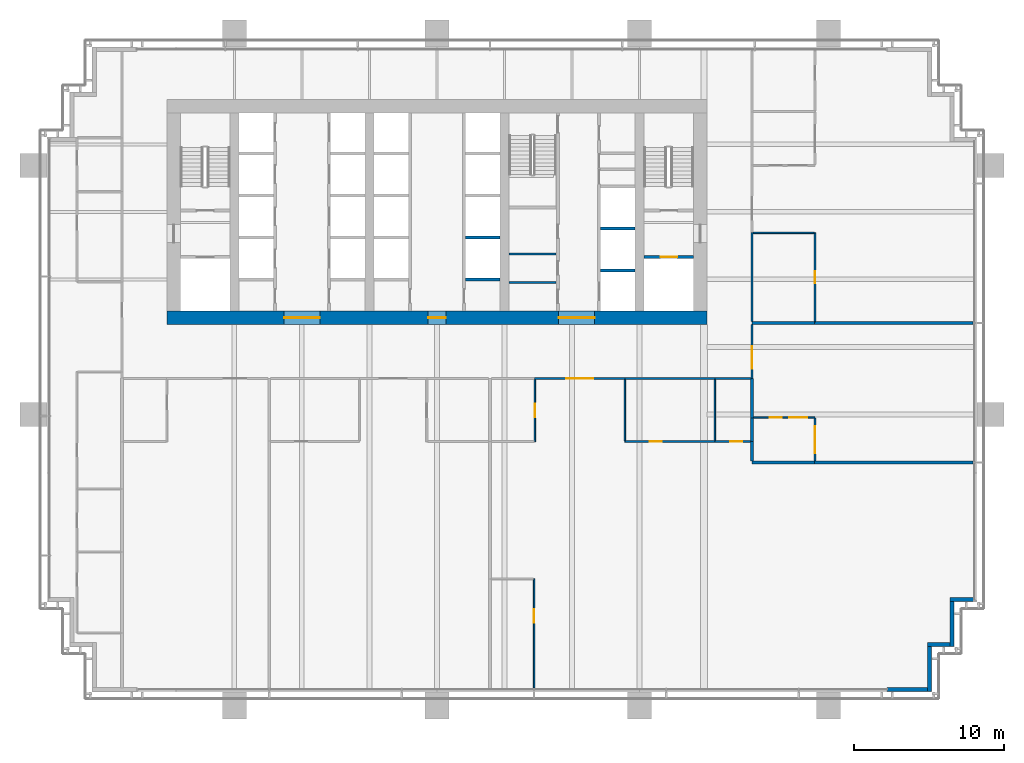
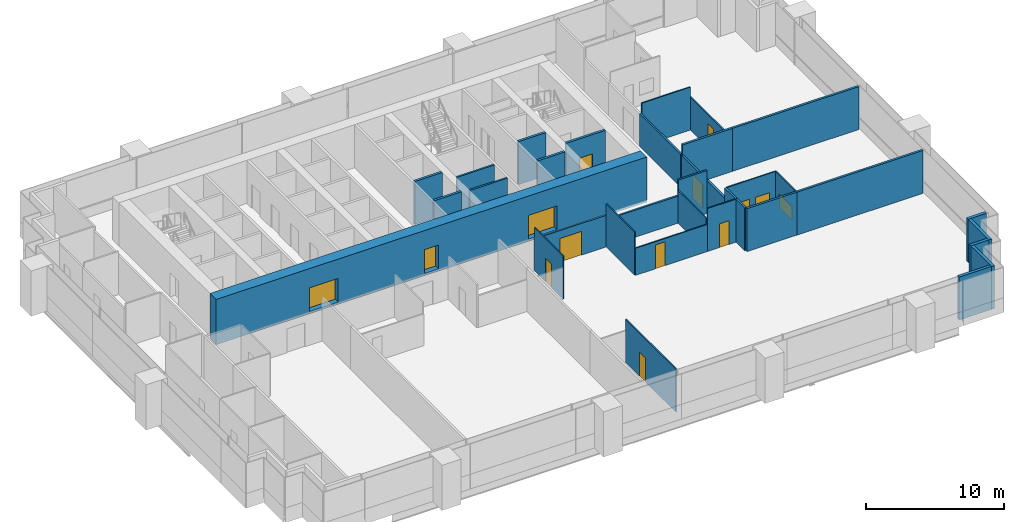
# One storey, part 13 of 19: 35 walls, 12 doors, 2 windows, 14 openings.
"""IFC4 building model written with IfcOpenShell, lengths in metres."""

from ifc_helpers import new_model, si_unit, direction, frame, frame_2d, origin, place, context, subcontext, project, spatial, rectangle, extrude, material, layer, layer_set, type_object, element, fill, save


model = new_model("IFC4")

# Units and contexts
model_context = context("Model", 3, precision=1e-05, world=origin(), true_north=direction((0.0, 1.0)))
body_context = subcontext(model_context, "Body", "Model", "MODEL_VIEW")
ifc_project = project(units=[si_unit("LENGTHUNIT", "METRE"), si_unit("AREAUNIT", "SQUARE_METRE"), si_unit("VOLUMEUNIT", "CUBIC_METRE"), si_unit("PLANEANGLEUNIT", "RADIAN"), si_unit("MASSUNIT", "GRAM", prefix="KILO")], contexts=[model_context])

# Site, building, storey
site_placement = place(None, origin())
site = spatial("IfcSite", under=ifc_project, at=site_placement, CompositionType="ELEMENT")
building_placement = place(site_placement, origin())
building = spatial("IfcBuilding", under=site, at=building_placement, Name="Rattan Terrace Tower", CompositionType="ELEMENT")
storey_placement = place(building_placement, frame((0.0, 0.0, 87.699951171875)))
storey = spatial("IfcBuildingStorey", under=building, at=storey_placement, Name="L19", CompositionType="ELEMENT", Elevation=87.699951171875)

# Walls
ifc_material_1 = material(Name="Gypsum board partition")
ifc_layer_1 = layer(ifc_material_1, 0.14990234375)
ifc_layer_set_1 = layer_set([ifc_layer_1], Name="Core partition 150")
wall_type_1 = type_object("IfcWallType", Name="Core partition 150", PredefinedType="PARTITIONING", material=ifc_layer_set_1)
for number, where, z_axis, x_axis, name in (
    (1, (4.800048828125, -4.696044921875, 0.0), (0.0, 0.0, 1.0), (1.0, 0.0, 0.0), "Toilet wall"),
    (2, (4.800048828125, -2.7919921875, 0.0), (0.0, 0.0, 1.0), (1.0, 0.0, 0.0), "Toilet wall"),
):
    element("IfcWall", number, at=place(storey_placement, frame(where, z_axis=z_axis, x_axis=x_axis)), inside=storey, type_object=wall_type_1, Name=name, PredefinedType="PARTITIONING", context=body_context, shape_type="SweptSolid", body=[
        extrude(rectangle(XDim=3.14990234375, YDim=0.14990234375, at=frame_2d((1.574951171875, 0.0))), origin(), (0.0, 0.0, 1.0), 3.800048828125),
    ])

# Wall, opening, door
ifc_material_2 = material(Name="Gypsum board partition")
ifc_layer_2 = layer(ifc_material_2, 0.199951171875)
ifc_layer_set_2 = layer_set([ifc_layer_2], Name="Core partition 200")
wall_type_2 = type_object("IfcWallType", Name="Core partition 200", PredefinedType="PARTITIONING", material=ifc_layer_set_2)
wall_1_placement = place(storey_placement, frame((13.800048828125, -3.0, 0.0), z_axis=(0.0, 0.0, 1.0), x_axis=(1.0, 0.0, 0.0)))
wall_1 = element("IfcWall", 3, at=wall_1_placement, inside=storey, type_object=wall_type_2, Name="Fire-fighting lobby wall", PredefinedType="PARTITIONING", context=body_context, shape_type="SweptSolid", body=[
    extrude(rectangle(XDim=3.300048828125, YDim=0.199951171875, at=frame_2d((1.64990234375, 0.0))), origin(), (0.0, 0.0, 1.0), 3.800048828125),
])
opening_1_placement = place(wall_1_placement, frame((1.10009765625, 0.0, 0.0)))
opening_1 = element("IfcOpeningElement", 4, at=opening_1_placement, cuts=wall_1, Name="Opening L19-LD-FF2", PredefinedType="OPENING", context=body_context, shape_type="SweptSolid", body=[
    extrude(rectangle(XDim=1.10009765625, YDim=2.10009765625, at=frame_2d((0.550048828125, 1.050048828125))), frame((0.0, 0.110595703125, 0.0), z_axis=(0.0, -1.0, 0.0), x_axis=(1.0, 0.0, 0.0)), (0.0, 0.0, 1.0), 0.220947265625),
])
ifc_material_3 = material(Name="Brushed stainless landing door panel")
door_type_1 = type_object("IfcDoorType", Name="Core lift landing door 1100", OperationType="DOUBLE_DOOR_SLIDING", PredefinedType="DOOR", material=ifc_material_3)
door_1_placement = place(opening_1_placement, origin())
door_1 = element("IfcDoor", 5, at=door_1_placement, inside=storey, type_object=door_type_1, Name="Door L19-LD-FF2", OperationType="DOUBLE_DOOR_SLIDING", OverallHeight=2.10009765625, OverallWidth=1.10009765625, PredefinedType="DOOR", context=body_context, shape_type="SweptSolid", body=[
    extrude(rectangle(XDim=1.10009765625, YDim=2.10009765625, at=frame_2d((0.550048828125, 1.050048828125))), frame((0.0, 0.02490234375, 0.0), z_axis=(0.0, -1.0, 0.0), x_axis=(1.0, 0.0, 0.0)), (0.0, 0.0, 1.0), 0.050048828125),
])
fill(opening_1, door_1)

# Wall, openings, doors
ifc_material_4 = material(Name="Concrete C70/85", Category="concrete")
ifc_layer_3 = layer(ifc_material_4, 0.89990234375)
ifc_layer_set_3 = layer_set([ifc_layer_3], Name="Core ring wall 900 C70/85")
wall_type_3 = type_object("IfcWallType", Name="Core ring wall 900 C70/85", PredefinedType="SHEAR", material=ifc_layer_set_3)
wall_2_placement = place(storey_placement, frame((-18.0, -7.050048828125, -0.199951171875), z_axis=(0.0, 0.0, 1.0), x_axis=(1.0, 0.0, 0.0)))
wall_2 = element("IfcWall", 6, at=wall_2_placement, inside=storey, type_object=wall_type_3, Name="Rear core wall south", PredefinedType="SHEAR", context=body_context, shape_type="SweptSolid", body=[
    extrude(rectangle(XDim=36.0, YDim=0.89990234375, at=frame_2d((18.0, 0.0))), origin(), (0.0, 0.0, 1.0), 4.0),
])
opening_2_placement = place(wall_2_placement, frame((7.800048828125, 0.0, 0.199951171875)))
opening_2 = element("IfcOpeningElement", 7, at=opening_2_placement, cuts=wall_2, Name="Opening L19-D007", PredefinedType="OPENING", context=body_context, shape_type="SweptSolid", body=[
    extrude(rectangle(XDim=2.39990234375, YDim=2.10009765625, at=frame_2d((1.199951171875, 1.050048828125))), frame((0.0, 0.46044921875, 0.0), z_axis=(0.0, -1.0, 0.0), x_axis=(1.0, 0.0, 0.0)), (0.0, 0.0, 1.0), 0.9208984375),
])
opening_3_placement = place(wall_2_placement, frame((17.39990234375, 0.0, 0.199951171875)))
opening_3 = element("IfcOpeningElement", 8, at=opening_3_placement, cuts=wall_2, Name="Opening L19-D010", PredefinedType="OPENING", context=body_context, shape_type="SweptSolid", body=[
    extrude(rectangle(XDim=1.199951171875, YDim=2.10009765625, at=frame_2d((0.60009765625, 1.050048828125))), frame((0.0, 0.46044921875, 0.0), z_axis=(0.0, -1.0, 0.0), x_axis=(1.0, 0.0, 0.0)), (0.0, 0.0, 1.0), 0.9208984375),
])
opening_4_placement = place(wall_2_placement, frame((26.10009765625, 0.0, 0.199951171875)))
opening_4 = element("IfcOpeningElement", 9, at=opening_4_placement, cuts=wall_2, Name="Opening L19-D015", PredefinedType="OPENING", context=body_context, shape_type="SweptSolid", body=[
    extrude(rectangle(XDim=2.39990234375, YDim=2.10009765625, at=frame_2d((1.199951171875, 1.050048828125))), frame((0.0, 0.46044921875, 0.0), z_axis=(0.0, -1.0, 0.0), x_axis=(1.0, 0.0, 0.0)), (0.0, 0.0, 1.0), 0.9208984375),
])
ifc_material_5 = material(Name="Hollow-metal fire door leaf")
door_type_2 = type_object("IfcDoorType", Name="Core lift lobby door 2400", OperationType="NOTDEFINED", PredefinedType="DOOR", material=ifc_material_5)
door_2_placement = place(opening_2_placement, origin())
door_2 = element("IfcDoor", 10, at=door_2_placement, inside=storey, type_object=door_type_2, Name="Door L19-D007", OperationType="DOUBLE_DOOR_DOUBLE_SWING", OverallHeight=2.10009765625, OverallWidth=2.39990234375, PredefinedType="DOOR", context=body_context, shape_type="SweptSolid", body=[
    extrude(rectangle(XDim=2.39990234375, YDim=2.10009765625, at=frame_2d((1.199951171875, 1.050048828125))), frame((0.0, 0.02490234375, 0.0), z_axis=(0.0, -1.0, 0.0), x_axis=(1.0, 0.0, 0.0)), (0.0, 0.0, 1.0), 0.050048828125),
])
fill(opening_2, door_2)
door_3_placement = place(opening_4_placement, origin())
door_3 = element("IfcDoor", 11, at=door_3_placement, inside=storey, type_object=door_type_2, Name="Door L19-D015", OperationType="DOUBLE_DOOR_DOUBLE_SWING", OverallHeight=2.10009765625, OverallWidth=2.39990234375, PredefinedType="DOOR", context=body_context, shape_type="SweptSolid", body=[
    extrude(rectangle(XDim=2.39990234375, YDim=2.10009765625, at=frame_2d((1.199951171875, 1.050048828125))), frame((0.0, 0.02490234375, 0.0), z_axis=(0.0, -1.0, 0.0), x_axis=(1.0, 0.0, 0.0)), (0.0, 0.0, 1.0), 0.050048828125),
])
fill(opening_4, door_3)
ifc_material_6 = material(Name="Hollow-metal fire door leaf")
door_type_3 = type_object("IfcDoorType", Name="Core riser door 1200", OperationType="NOTDEFINED", PredefinedType="DOOR", material=ifc_material_6)
door_4_placement = place(opening_3_placement, origin())
door_4 = element("IfcDoor", 12, at=door_4_placement, inside=storey, type_object=door_type_3, Name="Door L19-D010", OperationType="SINGLE_SWING_RIGHT", OverallHeight=2.10009765625, OverallWidth=1.199951171875, PredefinedType="DOOR", context=body_context, shape_type="SweptSolid", body=[
    extrude(rectangle(XDim=1.199951171875, YDim=2.10009765625, at=frame_2d((0.60009765625, 1.050048828125))), frame((0.0, 0.02490234375, 0.0), z_axis=(0.0, -1.0, 0.0), x_axis=(1.0, 0.0, 0.0)), (0.0, 0.0, 1.0), 0.050048828125),
])
fill(opening_3, door_4)

# Walls
ifc_material_7 = material(Name="Insulated aluminium-clad stud wall", Category="aluminium")
ifc_layer_4 = layer(ifc_material_7, 0.25)
ifc_layer_set_4 = layer_set([ifc_layer_4], Name="Facade Riser Wall 250")
wall_type_4 = type_object("IfcWallType", Name="Facade Riser Wall 250", PredefinedType="SOLIDWALL", material=ifc_layer_set_4)
wall_3_placement = place(storey_placement, frame((30.0, -31.830078125, 0.0), z_axis=(0.0, 0.0, 1.0), x_axis=(1.0, 0.0, 0.0)))
element("IfcWall", 13, at=wall_3_placement, inside=storey, type_object=wall_type_4, Name="Riser wall L19-1", PredefinedType="SOLIDWALL", context=body_context, shape_type="SweptSolid", body=[
    extrude(rectangle(XDim=2.705078125, YDim=0.25, at=frame_2d((1.3525390625, 0.0))), origin(), (0.0, 0.0, 1.0), 3.800048828125),
])
wall_4_placement = place(storey_placement, frame((32.830078125, -31.955078125, 0.0), z_axis=(0.0, 0.0, 1.0), x_axis=(0.0, 1.0, 0.0)))
element("IfcWall", 14, at=wall_4_placement, inside=storey, type_object=wall_type_4, Name="Riser wall L19-2", PredefinedType="SOLIDWALL", context=body_context, shape_type="SweptSolid", body=[
    extrude(rectangle(XDim=3.0, YDim=0.25, at=frame_2d((1.5, 0.0))), origin(), (0.0, 0.0, 1.0), 3.800048828125),
])
wall_5_placement = place(storey_placement, frame((32.705078125, -28.830078125, 0.0), z_axis=(0.0, 0.0, 1.0), x_axis=(1.0, 0.0, 0.0)))
element("IfcWall", 15, at=wall_5_placement, inside=storey, type_object=wall_type_4, Name="Riser wall L19-3", PredefinedType="SOLIDWALL", context=body_context, shape_type="SweptSolid", body=[
    extrude(rectangle(XDim=1.5, YDim=0.25, at=frame_2d((0.75, 0.0))), origin(), (0.0, 0.0, 1.0), 3.800048828125),
])
wall_6_placement = place(storey_placement, frame((34.330078125, -28.955078125, 0.0), z_axis=(0.0, 0.0, 1.0), x_axis=(0.0, 1.0, 0.0)))
element("IfcWall", 16, at=wall_6_placement, inside=storey, type_object=wall_type_4, Name="Riser wall L19-4", PredefinedType="SOLIDWALL", context=body_context, shape_type="SweptSolid", body=[
    extrude(rectangle(XDim=3.0, YDim=0.25, at=frame_2d((1.5, 0.0))), origin(), (0.0, 0.0, 1.0), 3.800048828125),
])
wall_7_placement = place(storey_placement, frame((34.205078125, -25.830078125, 0.0), z_axis=(0.0, 0.0, 1.0), x_axis=(1.0, 0.0, 0.0)))
element("IfcWall", 17, at=wall_7_placement, inside=storey, type_object=wall_type_4, Name="Riser wall L19-5", PredefinedType="SOLIDWALL", context=body_context, shape_type="SweptSolid", body=[
    extrude(rectangle(XDim=1.544921875, YDim=0.25, at=frame_2d((0.7724609375, 0.0))), origin(), (0.0, 0.0, 1.0), 3.800048828125),
])
ifc_material_8 = material(Name="Double steel stud acoustic partition, gypsum board, mineral wool, fire rated", Category="steel")
ifc_layer_5 = layer(ifc_material_8, 0.179931640625)
ifc_layer_set_5 = layer_set([ifc_layer_5], Name="Floors Acoustic Party Wall 180")
wall_type_5 = type_object("IfcWallType", Name="Floors Acoustic Party Wall 180", PredefinedType="PARTITIONING", material=ifc_layer_set_5)
wall_8_placement = place(storey_placement, frame((25.179931640625, -16.699951171875, 0.0), z_axis=(0.0, 0.0, 1.0), x_axis=(1.0, 0.0, 0.0)))
element("IfcWall", 18, at=wall_8_placement, inside=storey, type_object=wall_type_5, Name="pt-L19-055", PredefinedType="PARTITIONING", context=body_context, shape_type="SweptSolid", body=[
    extrude(rectangle(XDim=10.56005859375, YDim=0.179931640625, at=frame_2d((5.280029296875, 0.0))), origin(), (0.0, 0.0, 1.0), 3.800048828125),
])
wall_9_placement = place(storey_placement, frame((20.9990234375, -15.300048828125, 0.0), z_axis=(0.0, 0.0, 1.0), x_axis=(0.0, -1.0, 0.0)))
element("IfcWall", 19, at=wall_9_placement, inside=storey, type_object=wall_type_5, Name="pt-L19-056", PredefinedType="PARTITIONING", context=body_context, shape_type="SweptSolid", body=[
    extrude(rectangle(XDim=1.31005859375, YDim=0.179931640625, at=frame_2d((0.655029296875, 0.0))), origin(), (0.0, 0.0, 1.0), 3.800048828125),
])
wall_10_placement = place(storey_placement, frame((21.0, -16.699951171875, 0.0), z_axis=(0.0, 0.0, 1.0), x_axis=(1.0, 0.0, 0.0)))
element("IfcWall", 20, at=wall_10_placement, inside=storey, type_object=wall_type_5, Name="pt-L19-057", PredefinedType="PARTITIONING", context=body_context, shape_type="SweptSolid", body=[
    extrude(rectangle(XDim=4.179931640625, YDim=0.179931640625, at=frame_2d((2.08984375, 0.0))), origin(), (0.0, 0.0, 1.0), 3.800048828125),
])
wall_11_placement = place(storey_placement, frame((21.0, -11.10009765625, 0.0), z_axis=(0.0, 0.0, 1.0), x_axis=(0.0, -1.0, 0.0)))
element("IfcWall", 21, at=wall_11_placement, inside=storey, type_object=wall_type_5, Name="pt-L19-059", PredefinedType="PARTITIONING", context=body_context, shape_type="SweptSolid", body=[
    extrude(rectangle(XDim=2.619873046875, YDim=0.179931640625, at=frame_2d((1.31005859375, 0.0))), origin(), (0.0, 0.0, 1.0), 2.900146484375),
])
wall_12_placement = place(storey_placement, frame((21.0, -13.719970703125, 0.0), z_axis=(0.0, 0.0, 1.0), x_axis=(0.0, -1.0, 0.0)))
element("IfcWall", 22, at=wall_12_placement, inside=storey, type_object=wall_type_5, Name="pt-L19-060", PredefinedType="PARTITIONING", context=body_context, shape_type="SweptSolid", body=[
    extrude(rectangle(XDim=1.580078125, YDim=0.179931640625, at=frame_2d((0.7900390625, 0.0))), origin(), (0.0, 0.0, 1.0), 3.800048828125),
])
wall_13_placement = place(storey_placement, frame((25.179931640625, -7.39990234375, 0.0), z_axis=(0.0, 0.0, 1.0), x_axis=(1.0, 0.0, 0.0)))
element("IfcWall", 23, at=wall_13_placement, inside=storey, type_object=wall_type_5, Name="pt-L19-063", PredefinedType="PARTITIONING", context=body_context, shape_type="SweptSolid", body=[
    extrude(rectangle(XDim=10.56005859375, YDim=0.179931640625, at=frame_2d((5.280029296875, 0.0))), origin(), (0.0, 0.0, 1.0), 3.800048828125),
])
wall_14_placement = place(storey_placement, frame((21.0, -7.39990234375, 0.0), z_axis=(0.0, 0.0, 1.0), x_axis=(1.0, 0.0, 0.0)))
element("IfcWall", 24, at=wall_14_placement, inside=storey, type_object=wall_type_5, Name="pt-L19-064", PredefinedType="PARTITIONING", context=body_context, shape_type="SweptSolid", body=[
    extrude(rectangle(XDim=4.179931640625, YDim=0.179931640625, at=frame_2d((2.08984375, 0.0))), origin(), (0.0, 0.0, 1.0), 3.800048828125),
])

# Wall, opening, door
ifc_material_9 = material(Name="Gypsum board partition on steel studs", Category="steel")
ifc_layer_6 = layer(ifc_material_9, 0.10009765625)
ifc_layer_set_6 = layer_set([ifc_layer_6], Name="Floors Partition 100")
wall_type_6 = type_object("IfcWallType", Name="Floors Partition 100", PredefinedType="PARTITIONING", material=ifc_layer_set_6)
wall_15_placement = place(storey_placement, frame((6.470947265625, -31.739990234375, 0.0), z_axis=(0.0, 0.0, 1.0), x_axis=(0.0, 1.0, 0.0)))
wall_15 = element("IfcWall", 25, at=wall_15_placement, inside=storey, type_object=wall_type_6, Name="pt-L19-049", PredefinedType="PARTITIONING", context=body_context, shape_type="SweptSolid", body=[
    extrude(rectangle(XDim=7.280029296875, YDim=0.10009765625, at=frame_2d((3.64013671875, 0.0))), origin(), (0.0, 0.0, 1.0), 3.800048828125),
])
opening_5_placement = place(wall_15_placement, frame((4.365966796875, 0.0, 0.0)))
opening_5 = element("IfcOpeningElement", 26, at=opening_5_placement, cuts=wall_15, Name="Opening L19-D112", PredefinedType="OPENING", context=body_context, shape_type="SweptSolid", body=[
    extrude(rectangle(XDim=0.89990234375, YDim=2.10009765625, at=frame_2d((0.449951171875, 1.050048828125))), frame((0.0, 0.060546875, 0.0), z_axis=(0.0, -1.0, 0.0), x_axis=(1.0, 0.0, 0.0)), (0.0, 0.0, 1.0), 0.12109375),
])
ifc_material_10 = material(Name="Solid core timber door, painted", Category="wood")
door_type_4 = type_object("IfcDoorType", Name="Floors Door 900x2100", OperationType="NOTDEFINED", PredefinedType="DOOR", material=ifc_material_10)
door_5_placement = place(opening_5_placement, origin())
door_5 = element("IfcDoor", 27, at=door_5_placement, inside=storey, type_object=door_type_4, Name="d-L19-112", OperationType="SINGLE_SWING_RIGHT", OverallHeight=2.10009765625, OverallWidth=0.89990234375, PredefinedType="DOOR", context=body_context, shape_type="SweptSolid", body=[
    extrude(rectangle(XDim=0.89990234375, YDim=2.10009765625, at=frame_2d((0.449951171875, 1.050048828125))), frame((0.0, 0.02490234375, 0.0), z_axis=(0.0, -1.0, 0.0), x_axis=(1.0, 0.0, 0.0)), (0.0, 0.0, 1.0), 0.050048828125),
])
fill(opening_5, door_5)

wall_16_placement = place(storey_placement, frame((6.529052734375, -15.300048828125, 0.0), z_axis=(0.0, 0.0, 1.0), x_axis=(0.0, 1.0, 0.0)))
wall_16 = element("IfcWall", 28, at=wall_16_placement, inside=storey, type_object=wall_type_6, Name="pt-L19-051", PredefinedType="PARTITIONING", context=body_context, shape_type="SweptSolid", body=[
    extrude(rectangle(XDim=4.125, YDim=0.10009765625, at=frame_2d((2.0625, 0.0))), origin(), (0.0, 0.0, 1.0), 3.800048828125),
])
opening_6_placement = place(wall_16_placement, frame((1.613037109375, 0.0, 0.0)))
opening_6 = element("IfcOpeningElement", 29, at=opening_6_placement, cuts=wall_16, Name="Opening L19-D113", PredefinedType="OPENING", context=body_context, shape_type="SweptSolid", body=[
    extrude(rectangle(XDim=0.89990234375, YDim=2.10009765625, at=frame_2d((0.449951171875, 1.050048828125))), frame((0.0, 0.060546875, 0.0), z_axis=(0.0, -1.0, 0.0), x_axis=(1.0, 0.0, 0.0)), (0.0, 0.0, 1.0), 0.12109375),
])
door_6_placement = place(opening_6_placement, origin())
door_6 = element("IfcDoor", 30, at=door_6_placement, inside=storey, type_object=door_type_4, Name="d-L19-113", OperationType="SINGLE_SWING_RIGHT", OverallHeight=2.10009765625, OverallWidth=0.89990234375, PredefinedType="DOOR", context=body_context, shape_type="SweptSolid", body=[
    extrude(rectangle(XDim=0.89990234375, YDim=2.10009765625, at=frame_2d((0.449951171875, 1.050048828125))), frame((0.0, 0.02490234375, 0.0), z_axis=(0.0, -1.0, 0.0), x_axis=(1.0, 0.0, 0.0)), (0.0, 0.0, 1.0), 0.050048828125),
])
fill(opening_6, door_6)

# Wall
wall_17_placement = place(storey_placement, frame((12.529052734375, -11.175048828125, 0.0), z_axis=(0.0, 0.0, 1.0), x_axis=(0.0, -1.0, 0.0)))
element("IfcWall", 31, at=wall_17_placement, inside=storey, type_object=wall_type_6, Name="pt-L19-052", PredefinedType="PARTITIONING", context=body_context, shape_type="SweptSolid", body=[
    extrude(rectangle(XDim=4.074951171875, YDim=0.10009765625, at=frame_2d((2.03759765625, 0.0))), origin(), (0.0, 0.0, 1.0), 3.800048828125),
])

# Wall, opening, door
wall_18_placement = place(storey_placement, frame((12.529052734375, -15.300048828125, 0.0), z_axis=(0.0, 0.0, 1.0), x_axis=(1.0, 0.0, 0.0)))
wall_18 = element("IfcWall", 32, at=wall_18_placement, inside=storey, type_object=wall_type_6, Name="pt-L19-053", PredefinedType="PARTITIONING", context=body_context, shape_type="SweptSolid", body=[
    extrude(rectangle(XDim=6.02001953125, YDim=0.10009765625, at=frame_2d((3.010009765625, 0.0))), origin(), (0.0, 0.0, 1.0), 2.400146484375),
])
opening_7_placement = place(wall_18_placement, frame((1.666015625, 0.0, 0.0)))
opening_7 = element("IfcOpeningElement", 33, at=opening_7_placement, cuts=wall_18, Name="Opening L19-D114", PredefinedType="OPENING", context=body_context, shape_type="SweptSolid", body=[
    extrude(rectangle(XDim=0.800048828125, YDim=2.10009765625, at=frame_2d((0.39990234375, 1.050048828125))), frame((0.0, 0.060546875, 0.0), z_axis=(0.0, -1.0, 0.0), x_axis=(1.0, 0.0, 0.0)), (0.0, 0.0, 1.0), 0.12109375),
])
ifc_material_11 = material(Name="Solid core timber door, painted", Category="wood")
door_type_5 = type_object("IfcDoorType", Name="Floors Store Door 800x2100", OperationType="NOTDEFINED", PredefinedType="DOOR", material=ifc_material_11)
door_7_placement = place(opening_7_placement, origin())
door_7 = element("IfcDoor", 34, at=door_7_placement, inside=storey, type_object=door_type_5, Name="d-L19-114", OperationType="SINGLE_SWING_LEFT", OverallHeight=2.10009765625, OverallWidth=0.800048828125, PredefinedType="DOOR", context=body_context, shape_type="SweptSolid", body=[
    extrude(rectangle(XDim=0.800048828125, YDim=2.10009765625, at=frame_2d((0.39990234375, 1.050048828125))), frame((0.0, 0.02490234375, 0.0), z_axis=(0.0, -1.0, 0.0), x_axis=(1.0, 0.0, 0.0)), (0.0, 0.0, 1.0), 0.050048828125),
])
fill(opening_7, door_7)

wall_19_placement = place(storey_placement, frame((18.549072265625, -15.300048828125, 0.0), z_axis=(0.0, 0.0, 1.0), x_axis=(1.0, 0.0, 0.0)))
wall_19 = element("IfcWall", 35, at=wall_19_placement, inside=storey, type_object=wall_type_6, Name="pt-L19-054", PredefinedType="PARTITIONING", context=body_context, shape_type="SweptSolid", body=[
    extrude(rectangle(XDim=2.36083984375, YDim=0.10009765625, at=frame_2d((1.180419921875, 0.0))), origin(), (0.0, 0.0, 1.0), 3.800048828125),
])
opening_8_placement = place(wall_19_placement, frame((0.992919921875, 0.0, 0.0)))
opening_8 = element("IfcOpeningElement", 36, at=opening_8_placement, cuts=wall_19, Name="Opening L19-D115", PredefinedType="OPENING", context=body_context, shape_type="SweptSolid", body=[
    extrude(rectangle(XDim=0.800048828125, YDim=2.10009765625, at=frame_2d((0.39990234375, 1.050048828125))), frame((0.0, 0.060546875, 0.0), z_axis=(0.0, -1.0, 0.0), x_axis=(1.0, 0.0, 0.0)), (0.0, 0.0, 1.0), 0.12109375),
])
door_8_placement = place(opening_8_placement, origin())
door_8 = element("IfcDoor", 37, at=door_8_placement, inside=storey, type_object=door_type_5, Name="d-L19-115", OperationType="SINGLE_SWING_RIGHT", OverallHeight=2.10009765625, OverallWidth=0.800048828125, PredefinedType="DOOR", context=body_context, shape_type="SweptSolid", body=[
    extrude(rectangle(XDim=0.800048828125, YDim=2.10009765625, at=frame_2d((0.39990234375, 1.050048828125))), frame((0.0, 0.02490234375, 0.0), z_axis=(0.0, -1.0, 0.0), x_axis=(1.0, 0.0, 0.0)), (0.0, 0.0, 1.0), 0.050048828125),
])
fill(opening_8, door_8)

# Wall
wall_20_placement = place(storey_placement, frame((18.529052734375, -11.175048828125, 0.0), z_axis=(0.0, 0.0, 1.0), x_axis=(0.0, -1.0, 0.0)))
element("IfcWall", 38, at=wall_20_placement, inside=storey, type_object=wall_type_6, Name="pt-L19-058", PredefinedType="PARTITIONING", context=body_context, shape_type="SweptSolid", body=[
    extrude(rectangle(XDim=4.074951171875, YDim=0.10009765625, at=frame_2d((2.03759765625, 0.0))), origin(), (0.0, 0.0, 1.0), 2.900146484375),
])

# Wall, openings, door, window
wall_21_placement = place(storey_placement, frame((25.199951171875, -13.699951171875, 0.0), z_axis=(0.0, 0.0, 1.0), x_axis=(-1.0, 0.0, 0.0)))
wall_21 = element("IfcWall", 39, at=wall_21_placement, inside=storey, type_object=wall_type_6, Name="pt-L19-061", PredefinedType="PARTITIONING", context=body_context, shape_type="SweptSolid", body=[
    extrude(rectangle(XDim=4.10986328125, YDim=0.10009765625, at=frame_2d((2.054931640625, 0.0))), origin(), (0.0, 0.0, 1.0), 3.800048828125),
])
opening_9_placement = place(wall_21_placement, frame((2.217041015625, 0.0, 0.0)))
opening_9 = element("IfcOpeningElement", 40, at=opening_9_placement, cuts=wall_21, Name="Opening L19-D117", PredefinedType="OPENING", context=body_context, shape_type="SweptSolid", body=[
    extrude(rectangle(XDim=0.800048828125, YDim=2.10009765625, at=frame_2d((0.39990234375, 1.050048828125))), frame((0.0, 0.060546875, 0.0), z_axis=(0.0, -1.0, 0.0), x_axis=(1.0, 0.0, 0.0)), (0.0, 0.0, 1.0), 0.12109375),
])
opening_10_placement = place(wall_21_placement, frame((0.532958984375, 0.0, 0.89990234375)))
opening_10 = element("IfcOpeningElement", 41, at=opening_10_placement, cuts=wall_21, Name="Opening L19-W100", PredefinedType="OPENING", context=body_context, shape_type="SweptSolid", body=[
    extrude(rectangle(XDim=1.199951171875, YDim=1.199951171875, at=frame_2d((0.60009765625, 0.60009765625))), frame((0.0, 0.060546875, 0.0), z_axis=(0.0, -1.0, 0.0), x_axis=(1.0, 0.0, 0.0)), (0.0, 0.0, 1.0), 0.12109375),
])
door_9_placement = place(opening_9_placement, origin())
door_9 = element("IfcDoor", 42, at=door_9_placement, inside=storey, type_object=door_type_5, Name="d-L19-117", OperationType="SINGLE_SWING_RIGHT", OverallHeight=2.10009765625, OverallWidth=0.800048828125, PredefinedType="DOOR", context=body_context, shape_type="SweptSolid", body=[
    extrude(rectangle(XDim=0.800048828125, YDim=2.10009765625, at=frame_2d((0.39990234375, 1.050048828125))), frame((0.0, 0.02490234375, 0.0), z_axis=(0.0, -1.0, 0.0), x_axis=(1.0, 0.0, 0.0)), (0.0, 0.0, 1.0), 0.050048828125),
])
fill(opening_9, door_9)
ifc_material_12 = material(Name="Glass, clear, fixed in aluminium frame", Category="aluminium")
window_type_1 = type_object("IfcWindowType", Name="Interior Vision Window 1200x1200", PartitioningType="SINGLE_PANEL", PredefinedType="WINDOW", material=ifc_material_12)
window_1_placement = place(opening_10_placement, origin())
window_1 = element("IfcWindow", 43, at=window_1_placement, inside=storey, type_object=window_type_1, Name="w-L19-100", OverallHeight=1.199951171875, OverallWidth=1.199951171875, PartitioningType="SINGLE_PANEL", PredefinedType="WINDOW", context=body_context, shape_type="SweptSolid", body=[
    extrude(rectangle(XDim=1.199951171875, YDim=1.199951171875, at=frame_2d((0.60009765625, 0.60009765625))), frame((0.0, 0.030029296875, 0.0), z_axis=(0.0, -1.0, 0.0), x_axis=(1.0, 0.0, 0.0)), (0.0, 0.0, 1.0), 0.06005859375),
])
fill(opening_10, window_1)

# Wall, opening, window
wall_22_placement = place(storey_placement, frame((25.199951171875, -16.610107421875, 0.0), z_axis=(0.0, 0.0, 1.0), x_axis=(0.0, 1.0, 0.0)))
wall_22 = element("IfcWall", 44, at=wall_22_placement, inside=storey, type_object=wall_type_6, Name="pt-L19-062", PredefinedType="PARTITIONING", context=body_context, shape_type="SweptSolid", body=[
    extrude(rectangle(XDim=2.860107421875, YDim=0.10009765625, at=frame_2d((1.43017578125, 0.0))), origin(), (0.0, 0.0, 1.0), 3.800048828125),
])
opening_11_placement = place(wall_22_placement, frame((0.530029296875, 0.0, 0.89990234375)))
opening_11 = element("IfcOpeningElement", 45, at=opening_11_placement, cuts=wall_22, Name="Opening L19-W101", PredefinedType="OPENING", context=body_context, shape_type="SweptSolid", body=[
    extrude(rectangle(XDim=1.800048828125, YDim=1.199951171875, at=frame_2d((0.89990234375, 0.60009765625))), frame((0.0, 0.060546875, 0.0), z_axis=(0.0, -1.0, 0.0), x_axis=(1.0, 0.0, 0.0)), (0.0, 0.0, 1.0), 0.12109375),
])
ifc_material_13 = material(Name="Glass, clear, fixed in aluminium frame", Category="aluminium")
window_type_2 = type_object("IfcWindowType", Name="Interior Vision Window 1800x1200", PartitioningType="SINGLE_PANEL", PredefinedType="WINDOW", material=ifc_material_13)
window_2_placement = place(opening_11_placement, origin())
window_2 = element("IfcWindow", 46, at=window_2_placement, inside=storey, type_object=window_type_2, Name="w-L19-101", OverallHeight=1.199951171875, OverallWidth=1.800048828125, PartitioningType="SINGLE_PANEL", PredefinedType="WINDOW", context=body_context, shape_type="SweptSolid", body=[
    extrude(rectangle(XDim=1.800048828125, YDim=1.199951171875, at=frame_2d((0.89990234375, 0.60009765625))), frame((0.0, 0.030029296875, 0.0), z_axis=(0.0, -1.0, 0.0), x_axis=(1.0, 0.0, 0.0)), (0.0, 0.0, 1.0), 0.06005859375),
])
fill(opening_11, window_2)

# Wall
wall_23_placement = place(storey_placement, frame((25.14990234375, -1.39990234375, 0.0), z_axis=(0.0, 0.0, 1.0), x_axis=(-1.0, 0.0, 0.0)))
element("IfcWall", 47, at=wall_23_placement, inside=storey, type_object=wall_type_6, Name="pt-L19-065", PredefinedType="PARTITIONING", context=body_context, shape_type="SweptSolid", body=[
    extrude(rectangle(XDim=4.074951171875, YDim=0.10009765625, at=frame_2d((2.03759765625, 0.0))), origin(), (0.0, 0.0, 1.0), 3.800048828125),
])

# Wall, opening, door
wall_24_placement = place(storey_placement, frame((25.199951171875, -7.31005859375, 0.0), z_axis=(0.0, 0.0, 1.0), x_axis=(0.0, 1.0, 0.0)))
wall_24 = element("IfcWall", 48, at=wall_24_placement, inside=storey, type_object=wall_type_6, Name="pt-L19-066", PredefinedType="PARTITIONING", context=body_context, shape_type="SweptSolid", body=[
    extrude(rectangle(XDim=5.91015625, YDim=0.10009765625, at=frame_2d((2.955078125, 0.0))), origin(), (0.0, 0.0, 1.0), 2.900146484375),
])
opening_12_placement = place(wall_24_placement, frame((2.554931640625, 0.0, 0.0)))
opening_12 = element("IfcOpeningElement", 49, at=opening_12_placement, cuts=wall_24, Name="Opening L19-D119", PredefinedType="OPENING", context=body_context, shape_type="SweptSolid", body=[
    extrude(rectangle(XDim=0.800048828125, YDim=2.10009765625, at=frame_2d((0.39990234375, 1.050048828125))), frame((0.0, 0.060546875, 0.0), z_axis=(0.0, -1.0, 0.0), x_axis=(1.0, 0.0, 0.0)), (0.0, 0.0, 1.0), 0.12109375),
])
door_10_placement = place(opening_12_placement, origin())
door_10 = element("IfcDoor", 50, at=door_10_placement, inside=storey, type_object=door_type_5, Name="d-L19-119", OperationType="SINGLE_SWING_RIGHT", OverallHeight=2.10009765625, OverallWidth=0.800048828125, PredefinedType="DOOR", context=body_context, shape_type="SweptSolid", body=[
    extrude(rectangle(XDim=0.800048828125, YDim=2.10009765625, at=frame_2d((0.39990234375, 1.050048828125))), frame((0.0, 0.02490234375, 0.0), z_axis=(0.0, -1.0, 0.0), x_axis=(1.0, 0.0, 0.0)), (0.0, 0.0, 1.0), 0.050048828125),
])
fill(opening_12, door_10)

ifc_material_14 = material(Name="Gypsum board partition on steel studs, fire rated", Category="steel")
ifc_layer_7 = layer(ifc_material_14, 0.14990234375)
ifc_layer_set_7 = layer_set([ifc_layer_7], Name="Floors Tenancy Wall 150")
wall_type_7 = type_object("IfcWallType", Name="Floors Tenancy Wall 150", PredefinedType="PARTITIONING", material=ifc_layer_set_7)
wall_25_placement = place(storey_placement, frame((12.549072265625, -11.10009765625, 0.0), z_axis=(0.0, 0.0, 1.0), x_axis=(-1.0, 0.0, 0.0)))
wall_25 = element("IfcWall", 51, at=wall_25_placement, inside=storey, type_object=wall_type_7, Name="pt-L19-011", PredefinedType="PARTITIONING", context=body_context, shape_type="SweptSolid", body=[
    extrude(rectangle(XDim=6.0400390625, YDim=0.14990234375, at=frame_2d((3.02001953125, 0.0))), origin(), (0.0, 0.0, 1.0), 2.800048828125),
])
opening_13_placement = place(wall_25_placement, frame((2.1201171875, 0.0, 0.0)))
opening_13 = element("IfcOpeningElement", 52, at=opening_13_placement, cuts=wall_25, Name="Opening L19-D111", PredefinedType="OPENING", context=body_context, shape_type="SweptSolid", body=[
    extrude(rectangle(XDim=1.800048828125, YDim=2.10009765625, at=frame_2d((0.89990234375, 1.050048828125))), frame((0.0, 0.08544921875, 0.0), z_axis=(0.0, -1.0, 0.0), x_axis=(1.0, 0.0, 0.0)), (0.0, 0.0, 1.0), 0.1708984375),
])
ifc_material_15 = material(Name="Steel fire door set", Category="steel")
door_type_6 = type_object("IfcDoorType", Name="Floors Fire Door Pair FD30S 1800x2100", OperationType="NOTDEFINED", PredefinedType="DOOR", material=ifc_material_15)
door_11_placement = place(opening_13_placement, origin())
door_11 = element("IfcDoor", 53, at=door_11_placement, inside=storey, type_object=door_type_6, Name="d-L19-111", OperationType="DOUBLE_DOOR_SINGLE_SWING", OverallHeight=2.10009765625, OverallWidth=1.800048828125, PredefinedType="DOOR", context=body_context, shape_type="SweptSolid", body=[
    extrude(rectangle(XDim=1.800048828125, YDim=2.10009765625, at=frame_2d((0.89990234375, 1.050048828125))), frame((0.0, 0.02490234375, 0.0), z_axis=(0.0, -1.0, 0.0), x_axis=(1.0, 0.0, 0.0)), (0.0, 0.0, 1.0), 0.050048828125),
])
fill(opening_13, door_11)

# Walls
wall_26_placement = place(storey_placement, frame((18.549072265625, -11.10009765625, 0.0), z_axis=(0.0, 0.0, 1.0), x_axis=(-1.0, 0.0, 0.0)))
element("IfcWall", 54, at=wall_26_placement, inside=storey, type_object=wall_type_7, Name="pt-L19-013", PredefinedType="PARTITIONING", context=body_context, shape_type="SweptSolid", body=[
    extrude(rectangle(XDim=6.0, YDim=0.14990234375, at=frame_2d((3.0, 0.0))), origin(), (0.0, 0.0, 1.0), 2.400146484375),
])
wall_27_placement = place(storey_placement, frame((20.925048828125, -11.10009765625, 0.0), z_axis=(0.0, 0.0, 1.0), x_axis=(-1.0, 0.0, 0.0)))
element("IfcWall", 55, at=wall_27_placement, inside=storey, type_object=wall_type_7, Name="pt-L19-014", PredefinedType="PARTITIONING", context=body_context, shape_type="SweptSolid", body=[
    extrude(rectangle(XDim=2.3759765625, YDim=0.14990234375, at=frame_2d((1.18798828125, 0.0))), origin(), (0.0, 0.0, 1.0), 3.800048828125),
])

# Wall, opening, door
wall_28_placement = place(storey_placement, frame((21.0, -7.489990234375, 0.0), z_axis=(0.0, 0.0, 1.0), x_axis=(0.0, -1.0, 0.0)))
wall_28 = element("IfcWall", 56, at=wall_28_placement, inside=storey, type_object=wall_type_7, Name="pt-L19-015", PredefinedType="PARTITIONING", context=body_context, shape_type="SweptSolid", body=[
    extrude(rectangle(XDim=3.610107421875, YDim=0.14990234375, at=frame_2d((1.80517578125, 0.0))), origin(), (0.0, 0.0, 1.0), 2.900146484375),
])
opening_14_placement = place(wall_28_placement, frame((1.4580078125, 0.0, 0.0)))
opening_14 = element("IfcOpeningElement", 57, at=opening_14_placement, cuts=wall_28, Name="Opening L19-D116", PredefinedType="OPENING", context=body_context, shape_type="SweptSolid", body=[
    extrude(rectangle(XDim=1.5, YDim=2.10009765625, at=frame_2d((0.75, 1.050048828125))), frame((0.0, 0.08544921875, 0.0), z_axis=(0.0, -1.0, 0.0), x_axis=(1.0, 0.0, 0.0)), (0.0, 0.0, 1.0), 0.1708984375),
])
ifc_material_16 = material(Name="Steel fire door set", Category="steel")
door_type_7 = type_object("IfcDoorType", Name="Floors Unit Door Pair FD30S 1500x2100", OperationType="NOTDEFINED", PredefinedType="DOOR", material=ifc_material_16)
door_12_placement = place(opening_14_placement, origin())
door_12 = element("IfcDoor", 58, at=door_12_placement, inside=storey, type_object=door_type_7, Name="d-L19-116", OperationType="DOUBLE_DOOR_SINGLE_SWING", OverallHeight=2.10009765625, OverallWidth=1.5, PredefinedType="DOOR", context=body_context, shape_type="SweptSolid", body=[
    extrude(rectangle(XDim=1.5, YDim=2.10009765625, at=frame_2d((0.75, 1.050048828125))), frame((0.0, 0.02490234375, 0.0), z_axis=(0.0, -1.0, 0.0), x_axis=(1.0, 0.0, 0.0)), (0.0, 0.0, 1.0), 0.050048828125),
])
fill(opening_14, door_12)

# Walls
wall_29_placement = place(storey_placement, frame((21.0, -1.3798828125, 0.0), z_axis=(0.0, 0.0, 1.0), x_axis=(0.0, -1.0, 0.0)))
element("IfcWall", 59, at=wall_29_placement, inside=storey, type_object=wall_type_7, Name="pt-L19-017", PredefinedType="PARTITIONING", context=body_context, shape_type="SweptSolid", body=[
    extrude(rectangle(XDim=5.93017578125, YDim=0.14990234375, at=frame_2d((2.965087890625, 0.0))), origin(), (0.0, 0.0, 1.0), 2.900146484375),
])
ifc_material_17 = material(Name="Gypsum shaft wall system")
ifc_layer_8 = layer(ifc_material_17, 0.199951171875)
ifc_layer_set_8 = layer_set([ifc_layer_8], Name="Lift shaft wall 200")
wall_type_8 = type_object("IfcWallType", Name="Lift shaft wall 200", PredefinedType="PARTITIONING", material=ifc_layer_set_8)
for number, where, z_axis, x_axis, name in (
    (60, (1.89990234375, -1.699951171875, 0.0), (0.0, 0.0, 1.0), (1.0, 0.0, 0.0), "Lift shaft wall"),
    (61, (1.89990234375, -4.5, 0.0), (0.0, 0.0, 1.0), (1.0, 0.0, 0.0), "Lift shaft wall"),
    (62, (10.89990234375, -3.89990234375, 0.0), (0.0, 0.0, 1.0), (1.0, 0.0, 0.0), "Lift shaft wall"),
    (63, (10.89990234375, -1.10009765625, 0.0), (0.0, 0.0, 1.0), (1.0, 0.0, 0.0), "Lift shaft wall"),
):
    element("IfcWall", number, at=place(storey_placement, frame(where, z_axis=z_axis, x_axis=x_axis)), inside=storey, type_object=wall_type_8, Name=name, PredefinedType="PARTITIONING", context=body_context, shape_type="SweptSolid", body=[
        extrude(rectangle(XDim=2.300048828125, YDim=0.199951171875, at=frame_2d((1.14990234375, 0.0))), origin(), (0.0, 0.0, 1.0), 3.800048828125),
    ])

save(model, "model.ifc")
